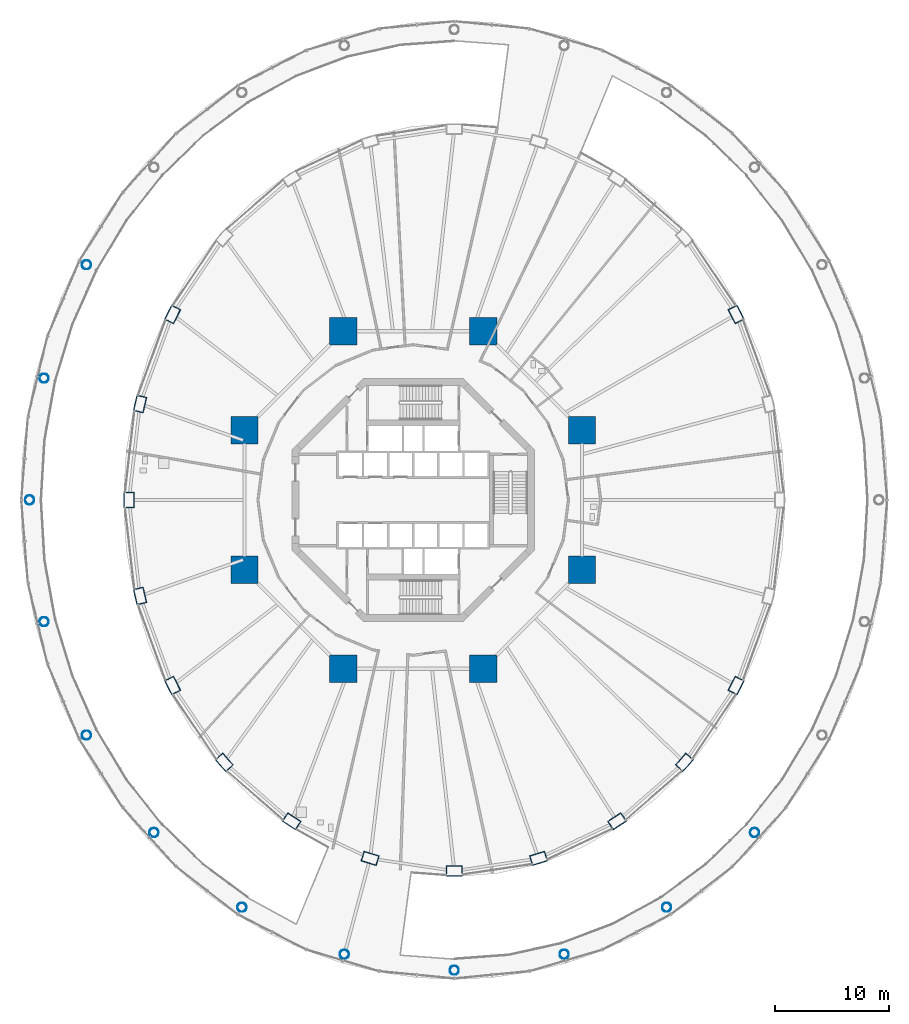
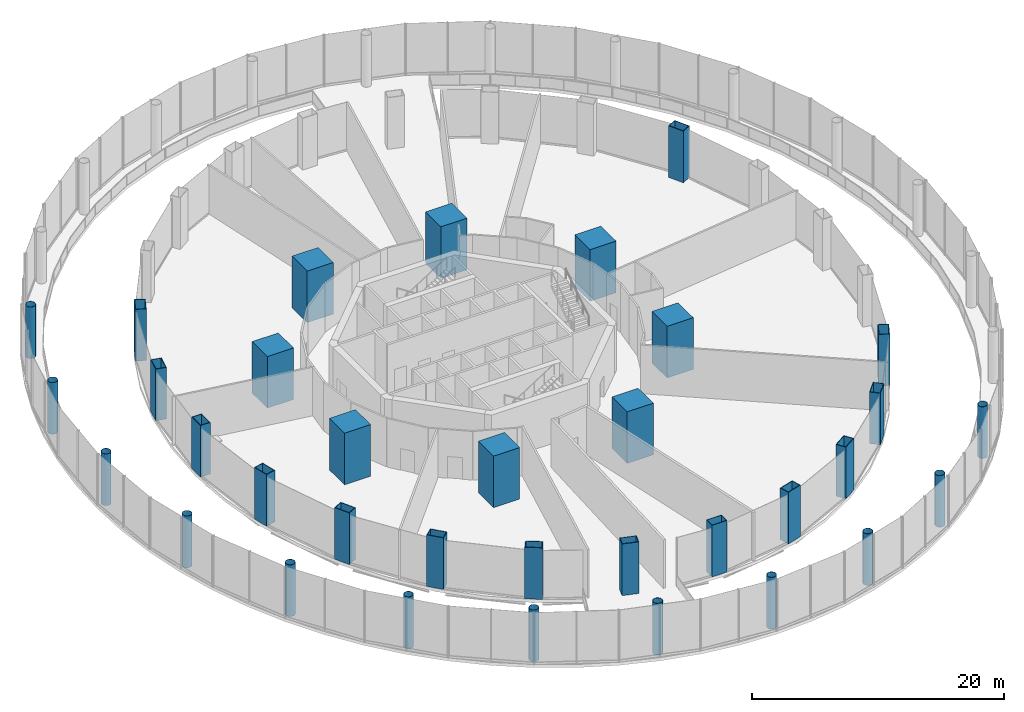
# One storey, part 1 of 47: 34 columns.
"""IFC4 building model written with IfcOpenShell, lengths in metres."""

from ifc_helpers import new_model, si_unit, direction, frame, origin, origin_2d, place, context, subcontext, project, spatial, rectangle, hollow_rectangle, hollow_circle, extrude, material, material_profile, profile_set, type_object, element, save


model = new_model("IFC4")

# Units and contexts
model_context = context("Model", 3, precision=1e-05, world=origin(), true_north=direction((0.0, 1.0)))
body_context = subcontext(model_context, "Body", "Model", "MODEL_VIEW")
ifc_project = project(units=[si_unit("LENGTHUNIT", "METRE"), si_unit("AREAUNIT", "SQUARE_METRE"), si_unit("VOLUMEUNIT", "CUBIC_METRE"), si_unit("PLANEANGLEUNIT", "RADIAN"), si_unit("MASSUNIT", "GRAM", prefix="KILO")], contexts=[model_context])

# Site, building, storey
site_placement = place(None, origin())
site = spatial("IfcSite", under=ifc_project, at=site_placement, CompositionType="ELEMENT")
building_placement = place(site_placement, origin())
building = spatial("IfcBuilding", under=site, at=building_placement, Name="Nagisa Residences", CompositionType="ELEMENT")
storey_placement = place(building_placement, frame((0.0, 0.0, 7.0)))
storey = spatial("IfcBuildingStorey", under=building, at=storey_placement, Name="L01", CompositionType="ELEMENT", Elevation=7.0)

# Columns
ifc_material_1 = material(Name="Steel ASTM A572 Gr 65", Category="steel")
ifc_material_profile_1 = material_profile(ifc_material_1, hollow_circle(Radius=0.406494140625, WallThickness=0.02490234375, at=origin_2d()), Name="CHS 813x25")
ifc_profile_set_1 = profile_set([ifc_material_profile_1], Name="Steel ASTM A572 Gr 65")
column_type_1 = type_object("IfcColumnType", Name="Atrium column CHS 813x25", PredefinedType="COLUMN", material=ifc_profile_set_1)
for number, where, z_axis, x_axis, name in (
    (1, (-28.6162109375, 20.60009765625, 0.0), (0.0, 0.0, 1.0), (1.0, 0.0, 0.0), "col:L01:a10"),
    (2, (-32.33251953125, 10.663330078125, 0.0), (0.0, 0.0, 1.0), (1.0, 0.0, 0.0), "col:L01:a11"),
    (3, (-33.60009765625, 0.0, 0.0), (0.0, 0.0, 1.0), (1.0, 0.0, 0.0), "col:L01:a12"),
    (4, (-32.33251953125, -10.663330078125, 0.0), (0.0, 0.0, 1.0), (1.0, 0.0, 0.0), "col:L01:a13"),
    (5, (-28.6162109375, -20.60009765625, 0.0), (0.0, 0.0, 1.0), (1.0, 0.0, 0.0), "col:L01:a14"),
    (6, (-22.704345703125, -29.1328125, 0.0), (0.0, 0.0, 1.0), (1.0, 0.0, 0.0), "col:L01:a15"),
    (7, (-15.0, -35.68017578125, 0.0), (0.0, 0.0, 1.0), (1.0, 0.0, 0.0), "col:L01:a16"),
    (8, (-6.028076171875, -39.796142578125, 0.0), (0.0, 0.0, 1.0), (1.0, 0.0, 0.0), "col:L01:a17"),
    (9, (3.60009765625, -41.199951171875, 0.0), (0.0, 0.0, 1.0), (1.0, 0.0, 0.0), "col:L01:a18"),
    (10, (13.22802734375, -39.796142578125, 0.0), (0.0, 0.0, 1.0), (1.0, 0.0, 0.0), "col:L01:a19"),
    (11, (22.199951171875, -35.68017578125, 0.0), (0.0, 0.0, 1.0), (1.0, 0.0, 0.0), "col:L01:a20"),
    (12, (29.904296875, -29.1328125, 0.0), (0.0, 0.0, 1.0), (1.0, 0.0, 0.0), "col:L01:a21"),
):
    element("IfcColumn", number, at=place(storey_placement, frame(where, z_axis=z_axis, x_axis=x_axis)), inside=storey, type_object=column_type_1, Name=name, PredefinedType="COLUMN", context=body_context, shape_type="SweptSolid", body=[
        extrude(hollow_circle(Radius=0.406494140625, WallThickness=0.02490234375, at=origin_2d()), origin(), (0.0, 0.0, 1.0), 5.0),
    ])
ifc_material_2 = material(Name="Concrete C80", Category="concrete")
ifc_material_profile_2 = material_profile(ifc_material_2, rectangle(XDim=2.39990234375, YDim=2.39990234375, at=origin_2d()), Name="C80 2400x2400")
ifc_profile_set_2 = profile_set([ifc_material_profile_2], Name="Concrete C80")
column_type_2 = type_object("IfcColumnType", Name="Inner megacolumn C80 2400x2400", PredefinedType="COLUMN", material=ifc_profile_set_2)
for number, where, z_axis, x_axis, name in (
    (13, (14.781982421875, 6.123046875, 0.0), (0.0, 0.0, 1.0), (1.0, 0.0, 0.0), "col:L01:i1"),
    (14, (6.123046875, 14.781982421875, 0.0), (0.0, 0.0, 1.0), (1.0, 0.0, 0.0), "col:L01:i2"),
    (15, (-6.123046875, 14.781982421875, 0.0), (0.0, 0.0, 1.0), (1.0, 0.0, 0.0), "col:L01:i3"),
    (16, (-14.781982421875, 6.123046875, 0.0), (0.0, 0.0, 1.0), (1.0, 0.0, 0.0), "col:L01:i4"),
    (17, (-14.781982421875, -6.123046875, 0.0), (0.0, 0.0, 1.0), (1.0, 0.0, 0.0), "col:L01:i5"),
    (18, (-6.123046875, -14.781982421875, 0.0), (0.0, 0.0, 1.0), (1.0, 0.0, 0.0), "col:L01:i6"),
    (19, (6.123046875, -14.781982421875, 0.0), (0.0, 0.0, 1.0), (1.0, 0.0, 0.0), "col:L01:i7"),
    (20, (14.781982421875, -6.123046875, 0.0), (0.0, 0.0, 1.0), (1.0, 0.0, 0.0), "col:L01:i8"),
):
    element("IfcColumn", number, at=place(storey_placement, frame(where, z_axis=z_axis, x_axis=x_axis)), inside=storey, type_object=column_type_2, Name=name, PredefinedType="COLUMN", context=body_context, shape_type="SweptSolid", body=[
        extrude(rectangle(XDim=2.39990234375, YDim=2.39990234375, at=origin_2d()), origin(), (0.0, 0.0, 1.0), 5.0),
    ])
ifc_material_3 = material(Name="Steel ASTM A572 Gr 50", Category="steel")
ifc_material_profile_3 = material_profile(ifc_material_3, hollow_rectangle(XDim=1.39990234375, YDim=0.89990234375, WallThickness=0.050048828125, at=origin_2d()), Name="BX 1400x900x50")
ifc_profile_set_3 = profile_set([ifc_material_profile_3], Name="Steel ASTM A572 Gr 50")
column_type_3 = type_object("IfcColumnType", Name="Perimeter column BX 1400x900x50", PredefinedType="COLUMN", material=ifc_profile_set_3)
for number, where, z_axis, x_axis, name in (
    (21, (28.28173828125, 16.25, 0.0), (0.0, 0.0, 1.0), (-0.452462697578, 0.891783329795, 0.0), "col:L01:p02"),
    (22, (-21.081787109375, 16.25, 0.0), (0.0, 0.0, 1.0), (-0.452462697578, -0.891783329795, 0.0), "col:L01:p10"),
    (23, (-23.928955078125, 8.41162109375, 0.0), (0.0, 0.0, 1.0), (-0.229202013103, -0.973378876486, 0.0), "col:L01:p11"),
    (24, (-24.89990234375, 0.0, 0.0), (0.0, 0.0, 1.0), (0.0, -1.0, 0.0), "col:L01:p12"),
    (25, (-23.928955078125, -8.41162109375, 0.0), (0.0, 0.0, 1.0), (0.229202013103, -0.973378876486, 0.0), "col:L01:p13"),
    (26, (-21.081787109375, -16.25, 0.0), (0.0, 0.0, 1.0), (0.452462697578, -0.891783329795, 0.0), "col:L01:p14"),
    (27, (-16.552490234375, -22.98095703125, 0.0), (0.0, 0.0, 1.0), (0.660114607735, -0.751164898445, 0.0), "col:L01:p15"),
    (28, (-10.64990234375, -28.145751953125, 0.0), (0.0, 0.0, 1.0), (0.835766105673, -0.54908561865, 0.0), "col:L01:p16"),
    (29, (-3.7763671875, -31.392578125, 0.0), (0.0, 0.0, 1.0), (0.956524583408, -0.291651712384, 0.0), "col:L01:p17"),
    (30, (3.60009765625, -32.5, 0.0), (0.0, 0.0, 1.0), (1.0, 0.0, 0.0), "col:L01:p18"),
    (31, (10.976318359375, -31.392578125, 0.0), (0.0, 0.0, 1.0), (0.956524583408, 0.291651712384, 0.0), "col:L01:p19"),
    (32, (17.85009765625, -28.145751953125, 0.0), (0.0, 0.0, 1.0), (0.835766105673, 0.54908561865, 0.0), "col:L01:p20"),
    (33, (23.75244140625, -22.98095703125, 0.0), (0.0, 0.0, 1.0), (0.660114607735, 0.751164898445, 0.0), "col:L01:p21"),
    (34, (28.28173828125, -16.25, 0.0), (0.0, 0.0, 1.0), (0.452462697578, 0.891783329795, 0.0), "col:L01:p22"),
):
    element("IfcColumn", number, at=place(storey_placement, frame(where, z_axis=z_axis, x_axis=x_axis)), inside=storey, type_object=column_type_3, Name=name, PredefinedType="COLUMN", context=body_context, shape_type="SweptSolid", body=[
        extrude(hollow_rectangle(XDim=1.39990234375, YDim=0.89990234375, WallThickness=0.050048828125, at=origin_2d()), origin(), (0.0, 0.0, 1.0), 5.0),
    ])

save(model, "model.ifc")
